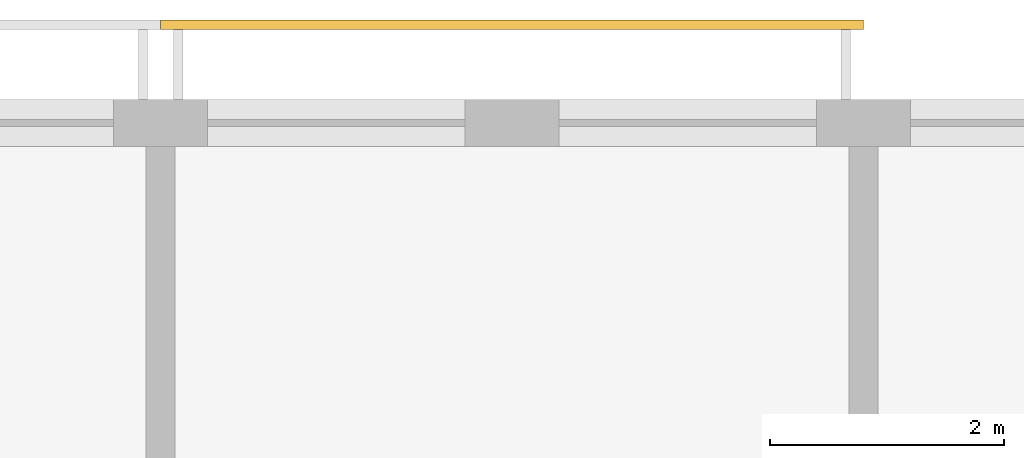
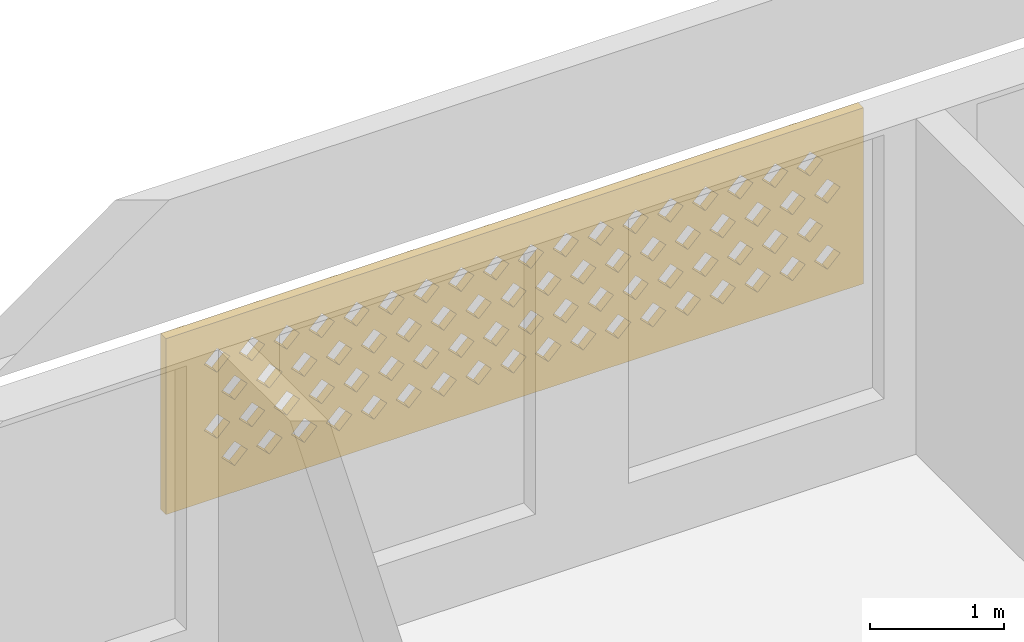
# One storey, part 7 of 7: 1 covering.
"""IFC4 building model written with IfcOpenShell, lengths in metres."""

from ifc_helpers import new_model, si_unit, direction, frame, origin, place, context, subcontext, project, spatial, polyline, outline, extrude, source, transform, mapped, material, material_profile, profile_set, type_object, element, save


model = new_model("IFC4")

# Units and contexts
model_context = context("Model", 3, precision=1e-05, world=origin(), true_north=direction((0.0, 1.0)))
body_context = subcontext(model_context, "Body", "Model", "MODEL_VIEW")
ifc_project = project(units=[si_unit("LENGTHUNIT", "METRE"), si_unit("AREAUNIT", "SQUARE_METRE"), si_unit("VOLUMEUNIT", "CUBIC_METRE"), si_unit("PLANEANGLEUNIT", "RADIAN"), si_unit("MASSUNIT", "GRAM", prefix="KILO")], contexts=[model_context])

# Site, building, storey
site_placement = place(None, origin())
site = spatial("IfcSite", under=ifc_project, at=site_placement, CompositionType="ELEMENT")
building_placement = place(site_placement, origin())
building = spatial("IfcBuilding", under=site, at=building_placement, Name="Poui Terraces", CompositionType="ELEMENT")
storey_placement = place(building_placement, frame((0.0, 0.0, 288.89990234375)))
storey = spatial("IfcBuildingStorey", under=building, at=storey_placement, Name="L80 CROWN", CompositionType="ELEMENT", Elevation=288.89990234375)

# Covering
ifc_material = material(Name="Terracotta screen", Category="masonry")
ifc_material_profile = material_profile(ifc_material, outline(polyline([(-3.0, -0.800048828125), (3.0, -0.800048828125), (3.0, 0.800048828125), (-3.0, 0.800048828125), (-3.0, -0.800048828125)]), holes=[polyline([(-2.800048828125, -0.449951171875), (-2.68994140625, -0.56005859375), (-2.580078125, -0.449951171875), (-2.68994140625, -0.340087890625), (-2.800048828125, -0.449951171875)]), polyline([(-2.5, -0.449951171875), (-2.389892578125, -0.56005859375), (-2.280029296875, -0.449951171875), (-2.389892578125, -0.340087890625), (-2.5, -0.449951171875)]), polyline([(-2.199951171875, -0.449951171875), (-2.090087890625, -0.56005859375), (-1.97998046875, -0.449951171875), (-2.090087890625, -0.340087890625), (-2.199951171875, -0.449951171875)]), polyline([(-1.89990234375, -0.449951171875), (-1.7900390625, -0.56005859375), (-1.679931640625, -0.449951171875), (-1.7900390625, -0.340087890625), (-1.89990234375, -0.449951171875)]), polyline([(-1.60009765625, -0.449951171875), (-1.489990234375, -0.56005859375), (-1.3798828125, -0.449951171875), (-1.489990234375, -0.340087890625), (-1.60009765625, -0.449951171875)]), polyline([(-1.300048828125, -0.449951171875), (-1.18994140625, -0.56005859375), (-1.080078125, -0.449951171875), (-1.18994140625, -0.340087890625), (-1.300048828125, -0.449951171875)]), polyline([(-1.0, -0.449951171875), (-0.889892578125, -0.56005859375), (-0.780029296875, -0.449951171875), (-0.889892578125, -0.340087890625), (-1.0, -0.449951171875)]), polyline([(-0.699951171875, -0.449951171875), (-0.590087890625, -0.56005859375), (-0.47998046875, -0.449951171875), (-0.590087890625, -0.340087890625), (-0.699951171875, -0.449951171875)]), polyline([(-0.39990234375, -0.449951171875), (-0.2900390625, -0.56005859375), (-0.179931640625, -0.449951171875), (-0.2900390625, -0.340087890625), (-0.39990234375, -0.449951171875)]), polyline([(-0.10009765625, -0.449951171875), (0.010009765625, -0.56005859375), (0.1201171875, -0.449951171875), (0.010009765625, -0.340087890625), (-0.10009765625, -0.449951171875)]), polyline([(0.199951171875, -0.449951171875), (0.31005859375, -0.56005859375), (0.419921875, -0.449951171875), (0.31005859375, -0.340087890625), (0.199951171875, -0.449951171875)]), polyline([(0.5, -0.449951171875), (0.610107421875, -0.56005859375), (0.719970703125, -0.449951171875), (0.610107421875, -0.340087890625), (0.5, -0.449951171875)]), polyline([(0.800048828125, -0.449951171875), (0.909912109375, -0.56005859375), (1.02001953125, -0.449951171875), (0.909912109375, -0.340087890625), (0.800048828125, -0.449951171875)]), polyline([(1.10009765625, -0.449951171875), (1.2099609375, -0.56005859375), (1.320068359375, -0.449951171875), (1.2099609375, -0.340087890625), (1.10009765625, -0.449951171875)]), polyline([(1.39990234375, -0.449951171875), (1.510009765625, -0.56005859375), (1.6201171875, -0.449951171875), (1.510009765625, -0.340087890625), (1.39990234375, -0.449951171875)]), polyline([(1.699951171875, -0.449951171875), (1.81005859375, -0.56005859375), (1.919921875, -0.449951171875), (1.81005859375, -0.340087890625), (1.699951171875, -0.449951171875)]), polyline([(2.0, -0.449951171875), (2.110107421875, -0.56005859375), (2.219970703125, -0.449951171875), (2.110107421875, -0.340087890625), (2.0, -0.449951171875)]), polyline([(2.300048828125, -0.449951171875), (2.409912109375, -0.56005859375), (2.52001953125, -0.449951171875), (2.409912109375, -0.340087890625), (2.300048828125, -0.449951171875)]), polyline([(-2.64990234375, -0.14990234375), (-2.5400390625, -0.260009765625), (-2.429931640625, -0.14990234375), (-2.5400390625, -0.0400390625), (-2.64990234375, -0.14990234375)]), polyline([(-2.35009765625, -0.14990234375), (-2.239990234375, -0.260009765625), (-2.1298828125, -0.14990234375), (-2.239990234375, -0.0400390625), (-2.35009765625, -0.14990234375)]), polyline([(-2.050048828125, -0.14990234375), (-1.93994140625, -0.260009765625), (-1.830078125, -0.14990234375), (-1.93994140625, -0.0400390625), (-2.050048828125, -0.14990234375)]), polyline([(-1.75, -0.14990234375), (-1.639892578125, -0.260009765625), (-1.530029296875, -0.14990234375), (-1.639892578125, -0.0400390625), (-1.75, -0.14990234375)]), polyline([(-1.449951171875, -0.14990234375), (-1.340087890625, -0.260009765625), (-1.22998046875, -0.14990234375), (-1.340087890625, -0.0400390625), (-1.449951171875, -0.14990234375)]), polyline([(-1.14990234375, -0.14990234375), (-1.0400390625, -0.260009765625), (-0.929931640625, -0.14990234375), (-1.0400390625, -0.0400390625), (-1.14990234375, -0.14990234375)]), polyline([(-0.85009765625, -0.14990234375), (-0.739990234375, -0.260009765625), (-0.6298828125, -0.14990234375), (-0.739990234375, -0.0400390625), (-0.85009765625, -0.14990234375)]), polyline([(-0.550048828125, -0.14990234375), (-0.43994140625, -0.260009765625), (-0.330078125, -0.14990234375), (-0.43994140625, -0.0400390625), (-0.550048828125, -0.14990234375)]), polyline([(-0.25, -0.14990234375), (-0.139892578125, -0.260009765625), (-0.030029296875, -0.14990234375), (-0.139892578125, -0.0400390625), (-0.25, -0.14990234375)]), polyline([(0.050048828125, -0.14990234375), (0.159912109375, -0.260009765625), (0.27001953125, -0.14990234375), (0.159912109375, -0.0400390625), (0.050048828125, -0.14990234375)]), polyline([(0.35009765625, -0.14990234375), (0.4599609375, -0.260009765625), (0.570068359375, -0.14990234375), (0.4599609375, -0.0400390625), (0.35009765625, -0.14990234375)]), polyline([(0.64990234375, -0.14990234375), (0.760009765625, -0.260009765625), (0.8701171875, -0.14990234375), (0.760009765625, -0.0400390625), (0.64990234375, -0.14990234375)]), polyline([(0.949951171875, -0.14990234375), (1.06005859375, -0.260009765625), (1.169921875, -0.14990234375), (1.06005859375, -0.0400390625), (0.949951171875, -0.14990234375)]), polyline([(1.25, -0.14990234375), (1.360107421875, -0.260009765625), (1.469970703125, -0.14990234375), (1.360107421875, -0.0400390625), (1.25, -0.14990234375)]), polyline([(1.550048828125, -0.14990234375), (1.659912109375, -0.260009765625), (1.77001953125, -0.14990234375), (1.659912109375, -0.0400390625), (1.550048828125, -0.14990234375)]), polyline([(1.85009765625, -0.14990234375), (1.9599609375, -0.260009765625), (2.070068359375, -0.14990234375), (1.9599609375, -0.0400390625), (1.85009765625, -0.14990234375)]), polyline([(2.14990234375, -0.14990234375), (2.260009765625, -0.260009765625), (2.3701171875, -0.14990234375), (2.260009765625, -0.0400390625), (2.14990234375, -0.14990234375)]), polyline([(2.449951171875, -0.14990234375), (2.56005859375, -0.260009765625), (2.669921875, -0.14990234375), (2.56005859375, -0.0400390625), (2.449951171875, -0.14990234375)]), polyline([(-2.800048828125, 0.14990234375), (-2.68994140625, 0.0400390625), (-2.580078125, 0.14990234375), (-2.68994140625, 0.260009765625), (-2.800048828125, 0.14990234375)]), polyline([(-2.5, 0.14990234375), (-2.389892578125, 0.0400390625), (-2.280029296875, 0.14990234375), (-2.389892578125, 0.260009765625), (-2.5, 0.14990234375)]), polyline([(-2.199951171875, 0.14990234375), (-2.090087890625, 0.0400390625), (-1.97998046875, 0.14990234375), (-2.090087890625, 0.260009765625), (-2.199951171875, 0.14990234375)]), polyline([(-1.89990234375, 0.14990234375), (-1.7900390625, 0.0400390625), (-1.679931640625, 0.14990234375), (-1.7900390625, 0.260009765625), (-1.89990234375, 0.14990234375)]), polyline([(-1.60009765625, 0.14990234375), (-1.489990234375, 0.0400390625), (-1.3798828125, 0.14990234375), (-1.489990234375, 0.260009765625), (-1.60009765625, 0.14990234375)]), polyline([(-1.300048828125, 0.14990234375), (-1.18994140625, 0.0400390625), (-1.080078125, 0.14990234375), (-1.18994140625, 0.260009765625), (-1.300048828125, 0.14990234375)]), polyline([(-1.0, 0.14990234375), (-0.889892578125, 0.0400390625), (-0.780029296875, 0.14990234375), (-0.889892578125, 0.260009765625), (-1.0, 0.14990234375)]), polyline([(-0.699951171875, 0.14990234375), (-0.590087890625, 0.0400390625), (-0.47998046875, 0.14990234375), (-0.590087890625, 0.260009765625), (-0.699951171875, 0.14990234375)]), polyline([(-0.39990234375, 0.14990234375), (-0.2900390625, 0.0400390625), (-0.179931640625, 0.14990234375), (-0.2900390625, 0.260009765625), (-0.39990234375, 0.14990234375)]), polyline([(-0.10009765625, 0.14990234375), (0.010009765625, 0.0400390625), (0.1201171875, 0.14990234375), (0.010009765625, 0.260009765625), (-0.10009765625, 0.14990234375)]), polyline([(0.199951171875, 0.14990234375), (0.31005859375, 0.0400390625), (0.419921875, 0.14990234375), (0.31005859375, 0.260009765625), (0.199951171875, 0.14990234375)]), polyline([(0.5, 0.14990234375), (0.610107421875, 0.0400390625), (0.719970703125, 0.14990234375), (0.610107421875, 0.260009765625), (0.5, 0.14990234375)]), polyline([(0.800048828125, 0.14990234375), (0.909912109375, 0.0400390625), (1.02001953125, 0.14990234375), (0.909912109375, 0.260009765625), (0.800048828125, 0.14990234375)]), polyline([(1.10009765625, 0.14990234375), (1.2099609375, 0.0400390625), (1.320068359375, 0.14990234375), (1.2099609375, 0.260009765625), (1.10009765625, 0.14990234375)]), polyline([(1.39990234375, 0.14990234375), (1.510009765625, 0.0400390625), (1.6201171875, 0.14990234375), (1.510009765625, 0.260009765625), (1.39990234375, 0.14990234375)]), polyline([(1.699951171875, 0.14990234375), (1.81005859375, 0.0400390625), (1.919921875, 0.14990234375), (1.81005859375, 0.260009765625), (1.699951171875, 0.14990234375)]), polyline([(2.0, 0.14990234375), (2.110107421875, 0.0400390625), (2.219970703125, 0.14990234375), (2.110107421875, 0.260009765625), (2.0, 0.14990234375)]), polyline([(2.300048828125, 0.14990234375), (2.409912109375, 0.0400390625), (2.52001953125, 0.14990234375), (2.409912109375, 0.260009765625), (2.300048828125, 0.14990234375)]), polyline([(-2.64990234375, 0.449951171875), (-2.5400390625, 0.340087890625), (-2.429931640625, 0.449951171875), (-2.5400390625, 0.56005859375), (-2.64990234375, 0.449951171875)]), polyline([(-2.35009765625, 0.449951171875), (-2.239990234375, 0.340087890625), (-2.1298828125, 0.449951171875), (-2.239990234375, 0.56005859375), (-2.35009765625, 0.449951171875)]), polyline([(-2.050048828125, 0.449951171875), (-1.93994140625, 0.340087890625), (-1.830078125, 0.449951171875), (-1.93994140625, 0.56005859375), (-2.050048828125, 0.449951171875)]), polyline([(-1.75, 0.449951171875), (-1.639892578125, 0.340087890625), (-1.530029296875, 0.449951171875), (-1.639892578125, 0.56005859375), (-1.75, 0.449951171875)]), polyline([(-1.449951171875, 0.449951171875), (-1.340087890625, 0.340087890625), (-1.22998046875, 0.449951171875), (-1.340087890625, 0.56005859375), (-1.449951171875, 0.449951171875)]), polyline([(-1.14990234375, 0.449951171875), (-1.0400390625, 0.340087890625), (-0.929931640625, 0.449951171875), (-1.0400390625, 0.56005859375), (-1.14990234375, 0.449951171875)]), polyline([(-0.85009765625, 0.449951171875), (-0.739990234375, 0.340087890625), (-0.6298828125, 0.449951171875), (-0.739990234375, 0.56005859375), (-0.85009765625, 0.449951171875)]), polyline([(-0.550048828125, 0.449951171875), (-0.43994140625, 0.340087890625), (-0.330078125, 0.449951171875), (-0.43994140625, 0.56005859375), (-0.550048828125, 0.449951171875)]), polyline([(-0.25, 0.449951171875), (-0.139892578125, 0.340087890625), (-0.030029296875, 0.449951171875), (-0.139892578125, 0.56005859375), (-0.25, 0.449951171875)]), polyline([(0.050048828125, 0.449951171875), (0.159912109375, 0.340087890625), (0.27001953125, 0.449951171875), (0.159912109375, 0.56005859375), (0.050048828125, 0.449951171875)]), polyline([(0.35009765625, 0.449951171875), (0.4599609375, 0.340087890625), (0.570068359375, 0.449951171875), (0.4599609375, 0.56005859375), (0.35009765625, 0.449951171875)]), polyline([(0.64990234375, 0.449951171875), (0.760009765625, 0.340087890625), (0.8701171875, 0.449951171875), (0.760009765625, 0.56005859375), (0.64990234375, 0.449951171875)]), polyline([(0.949951171875, 0.449951171875), (1.06005859375, 0.340087890625), (1.169921875, 0.449951171875), (1.06005859375, 0.56005859375), (0.949951171875, 0.449951171875)]), polyline([(1.25, 0.449951171875), (1.360107421875, 0.340087890625), (1.469970703125, 0.449951171875), (1.360107421875, 0.56005859375), (1.25, 0.449951171875)]), polyline([(1.550048828125, 0.449951171875), (1.659912109375, 0.340087890625), (1.77001953125, 0.449951171875), (1.659912109375, 0.56005859375), (1.550048828125, 0.449951171875)]), polyline([(1.85009765625, 0.449951171875), (1.9599609375, 0.340087890625), (2.070068359375, 0.449951171875), (1.9599609375, 0.56005859375), (1.85009765625, 0.449951171875)]), polyline([(2.14990234375, 0.449951171875), (2.260009765625, 0.340087890625), (2.3701171875, 0.449951171875), (2.260009765625, 0.56005859375), (2.14990234375, 0.449951171875)]), polyline([(2.449951171875, 0.449951171875), (2.56005859375, 0.340087890625), (2.669921875, 0.449951171875), (2.56005859375, 0.56005859375), (2.449951171875, 0.449951171875)])]), Name="TERRACOTTA SOLAR SCREEN 6000X1600")
ifc_profile_set = profile_set([ifc_material_profile], Name="Terracotta screen")
covering_type = type_object("IfcCoveringType", Name="TERRACOTTA SOLAR SCREEN 6000X1600", PredefinedType="CLADDING", material=ifc_profile_set)
shared_shape = source(origin(), body_context, "Body", "SweptSolid", [
    extrude(outline(polyline([(-3.0, -0.800048828125), (3.0, -0.800048828125), (3.0, 0.800048828125), (-3.0, 0.800048828125), (-3.0, -0.800048828125)]), holes=[polyline([(-2.800048828125, -0.449951171875), (-2.68994140625, -0.56005859375), (-2.580078125, -0.449951171875), (-2.68994140625, -0.340087890625), (-2.800048828125, -0.449951171875)]), polyline([(-2.5, -0.449951171875), (-2.389892578125, -0.56005859375), (-2.280029296875, -0.449951171875), (-2.389892578125, -0.340087890625), (-2.5, -0.449951171875)]), polyline([(-2.199951171875, -0.449951171875), (-2.090087890625, -0.56005859375), (-1.97998046875, -0.449951171875), (-2.090087890625, -0.340087890625), (-2.199951171875, -0.449951171875)]), polyline([(-1.89990234375, -0.449951171875), (-1.7900390625, -0.56005859375), (-1.679931640625, -0.449951171875), (-1.7900390625, -0.340087890625), (-1.89990234375, -0.449951171875)]), polyline([(-1.60009765625, -0.449951171875), (-1.489990234375, -0.56005859375), (-1.3798828125, -0.449951171875), (-1.489990234375, -0.340087890625), (-1.60009765625, -0.449951171875)]), polyline([(-1.300048828125, -0.449951171875), (-1.18994140625, -0.56005859375), (-1.080078125, -0.449951171875), (-1.18994140625, -0.340087890625), (-1.300048828125, -0.449951171875)]), polyline([(-1.0, -0.449951171875), (-0.889892578125, -0.56005859375), (-0.780029296875, -0.449951171875), (-0.889892578125, -0.340087890625), (-1.0, -0.449951171875)]), polyline([(-0.699951171875, -0.449951171875), (-0.590087890625, -0.56005859375), (-0.47998046875, -0.449951171875), (-0.590087890625, -0.340087890625), (-0.699951171875, -0.449951171875)]), polyline([(-0.39990234375, -0.449951171875), (-0.2900390625, -0.56005859375), (-0.179931640625, -0.449951171875), (-0.2900390625, -0.340087890625), (-0.39990234375, -0.449951171875)]), polyline([(-0.10009765625, -0.449951171875), (0.010009765625, -0.56005859375), (0.1201171875, -0.449951171875), (0.010009765625, -0.340087890625), (-0.10009765625, -0.449951171875)]), polyline([(0.199951171875, -0.449951171875), (0.31005859375, -0.56005859375), (0.419921875, -0.449951171875), (0.31005859375, -0.340087890625), (0.199951171875, -0.449951171875)]), polyline([(0.5, -0.449951171875), (0.610107421875, -0.56005859375), (0.719970703125, -0.449951171875), (0.610107421875, -0.340087890625), (0.5, -0.449951171875)]), polyline([(0.800048828125, -0.449951171875), (0.909912109375, -0.56005859375), (1.02001953125, -0.449951171875), (0.909912109375, -0.340087890625), (0.800048828125, -0.449951171875)]), polyline([(1.10009765625, -0.449951171875), (1.2099609375, -0.56005859375), (1.320068359375, -0.449951171875), (1.2099609375, -0.340087890625), (1.10009765625, -0.449951171875)]), polyline([(1.39990234375, -0.449951171875), (1.510009765625, -0.56005859375), (1.6201171875, -0.449951171875), (1.510009765625, -0.340087890625), (1.39990234375, -0.449951171875)]), polyline([(1.699951171875, -0.449951171875), (1.81005859375, -0.56005859375), (1.919921875, -0.449951171875), (1.81005859375, -0.340087890625), (1.699951171875, -0.449951171875)]), polyline([(2.0, -0.449951171875), (2.110107421875, -0.56005859375), (2.219970703125, -0.449951171875), (2.110107421875, -0.340087890625), (2.0, -0.449951171875)]), polyline([(2.300048828125, -0.449951171875), (2.409912109375, -0.56005859375), (2.52001953125, -0.449951171875), (2.409912109375, -0.340087890625), (2.300048828125, -0.449951171875)]), polyline([(-2.64990234375, -0.14990234375), (-2.5400390625, -0.260009765625), (-2.429931640625, -0.14990234375), (-2.5400390625, -0.0400390625), (-2.64990234375, -0.14990234375)]), polyline([(-2.35009765625, -0.14990234375), (-2.239990234375, -0.260009765625), (-2.1298828125, -0.14990234375), (-2.239990234375, -0.0400390625), (-2.35009765625, -0.14990234375)]), polyline([(-2.050048828125, -0.14990234375), (-1.93994140625, -0.260009765625), (-1.830078125, -0.14990234375), (-1.93994140625, -0.0400390625), (-2.050048828125, -0.14990234375)]), polyline([(-1.75, -0.14990234375), (-1.639892578125, -0.260009765625), (-1.530029296875, -0.14990234375), (-1.639892578125, -0.0400390625), (-1.75, -0.14990234375)]), polyline([(-1.449951171875, -0.14990234375), (-1.340087890625, -0.260009765625), (-1.22998046875, -0.14990234375), (-1.340087890625, -0.0400390625), (-1.449951171875, -0.14990234375)]), polyline([(-1.14990234375, -0.14990234375), (-1.0400390625, -0.260009765625), (-0.929931640625, -0.14990234375), (-1.0400390625, -0.0400390625), (-1.14990234375, -0.14990234375)]), polyline([(-0.85009765625, -0.14990234375), (-0.739990234375, -0.260009765625), (-0.6298828125, -0.14990234375), (-0.739990234375, -0.0400390625), (-0.85009765625, -0.14990234375)]), polyline([(-0.550048828125, -0.14990234375), (-0.43994140625, -0.260009765625), (-0.330078125, -0.14990234375), (-0.43994140625, -0.0400390625), (-0.550048828125, -0.14990234375)]), polyline([(-0.25, -0.14990234375), (-0.139892578125, -0.260009765625), (-0.030029296875, -0.14990234375), (-0.139892578125, -0.0400390625), (-0.25, -0.14990234375)]), polyline([(0.050048828125, -0.14990234375), (0.159912109375, -0.260009765625), (0.27001953125, -0.14990234375), (0.159912109375, -0.0400390625), (0.050048828125, -0.14990234375)]), polyline([(0.35009765625, -0.14990234375), (0.4599609375, -0.260009765625), (0.570068359375, -0.14990234375), (0.4599609375, -0.0400390625), (0.35009765625, -0.14990234375)]), polyline([(0.64990234375, -0.14990234375), (0.760009765625, -0.260009765625), (0.8701171875, -0.14990234375), (0.760009765625, -0.0400390625), (0.64990234375, -0.14990234375)]), polyline([(0.949951171875, -0.14990234375), (1.06005859375, -0.260009765625), (1.169921875, -0.14990234375), (1.06005859375, -0.0400390625), (0.949951171875, -0.14990234375)]), polyline([(1.25, -0.14990234375), (1.360107421875, -0.260009765625), (1.469970703125, -0.14990234375), (1.360107421875, -0.0400390625), (1.25, -0.14990234375)]), polyline([(1.550048828125, -0.14990234375), (1.659912109375, -0.260009765625), (1.77001953125, -0.14990234375), (1.659912109375, -0.0400390625), (1.550048828125, -0.14990234375)]), polyline([(1.85009765625, -0.14990234375), (1.9599609375, -0.260009765625), (2.070068359375, -0.14990234375), (1.9599609375, -0.0400390625), (1.85009765625, -0.14990234375)]), polyline([(2.14990234375, -0.14990234375), (2.260009765625, -0.260009765625), (2.3701171875, -0.14990234375), (2.260009765625, -0.0400390625), (2.14990234375, -0.14990234375)]), polyline([(2.449951171875, -0.14990234375), (2.56005859375, -0.260009765625), (2.669921875, -0.14990234375), (2.56005859375, -0.0400390625), (2.449951171875, -0.14990234375)]), polyline([(-2.800048828125, 0.14990234375), (-2.68994140625, 0.0400390625), (-2.580078125, 0.14990234375), (-2.68994140625, 0.260009765625), (-2.800048828125, 0.14990234375)]), polyline([(-2.5, 0.14990234375), (-2.389892578125, 0.0400390625), (-2.280029296875, 0.14990234375), (-2.389892578125, 0.260009765625), (-2.5, 0.14990234375)]), polyline([(-2.199951171875, 0.14990234375), (-2.090087890625, 0.0400390625), (-1.97998046875, 0.14990234375), (-2.090087890625, 0.260009765625), (-2.199951171875, 0.14990234375)]), polyline([(-1.89990234375, 0.14990234375), (-1.7900390625, 0.0400390625), (-1.679931640625, 0.14990234375), (-1.7900390625, 0.260009765625), (-1.89990234375, 0.14990234375)]), polyline([(-1.60009765625, 0.14990234375), (-1.489990234375, 0.0400390625), (-1.3798828125, 0.14990234375), (-1.489990234375, 0.260009765625), (-1.60009765625, 0.14990234375)]), polyline([(-1.300048828125, 0.14990234375), (-1.18994140625, 0.0400390625), (-1.080078125, 0.14990234375), (-1.18994140625, 0.260009765625), (-1.300048828125, 0.14990234375)]), polyline([(-1.0, 0.14990234375), (-0.889892578125, 0.0400390625), (-0.780029296875, 0.14990234375), (-0.889892578125, 0.260009765625), (-1.0, 0.14990234375)]), polyline([(-0.699951171875, 0.14990234375), (-0.590087890625, 0.0400390625), (-0.47998046875, 0.14990234375), (-0.590087890625, 0.260009765625), (-0.699951171875, 0.14990234375)]), polyline([(-0.39990234375, 0.14990234375), (-0.2900390625, 0.0400390625), (-0.179931640625, 0.14990234375), (-0.2900390625, 0.260009765625), (-0.39990234375, 0.14990234375)]), polyline([(-0.10009765625, 0.14990234375), (0.010009765625, 0.0400390625), (0.1201171875, 0.14990234375), (0.010009765625, 0.260009765625), (-0.10009765625, 0.14990234375)]), polyline([(0.199951171875, 0.14990234375), (0.31005859375, 0.0400390625), (0.419921875, 0.14990234375), (0.31005859375, 0.260009765625), (0.199951171875, 0.14990234375)]), polyline([(0.5, 0.14990234375), (0.610107421875, 0.0400390625), (0.719970703125, 0.14990234375), (0.610107421875, 0.260009765625), (0.5, 0.14990234375)]), polyline([(0.800048828125, 0.14990234375), (0.909912109375, 0.0400390625), (1.02001953125, 0.14990234375), (0.909912109375, 0.260009765625), (0.800048828125, 0.14990234375)]), polyline([(1.10009765625, 0.14990234375), (1.2099609375, 0.0400390625), (1.320068359375, 0.14990234375), (1.2099609375, 0.260009765625), (1.10009765625, 0.14990234375)]), polyline([(1.39990234375, 0.14990234375), (1.510009765625, 0.0400390625), (1.6201171875, 0.14990234375), (1.510009765625, 0.260009765625), (1.39990234375, 0.14990234375)]), polyline([(1.699951171875, 0.14990234375), (1.81005859375, 0.0400390625), (1.919921875, 0.14990234375), (1.81005859375, 0.260009765625), (1.699951171875, 0.14990234375)]), polyline([(2.0, 0.14990234375), (2.110107421875, 0.0400390625), (2.219970703125, 0.14990234375), (2.110107421875, 0.260009765625), (2.0, 0.14990234375)]), polyline([(2.300048828125, 0.14990234375), (2.409912109375, 0.0400390625), (2.52001953125, 0.14990234375), (2.409912109375, 0.260009765625), (2.300048828125, 0.14990234375)]), polyline([(-2.64990234375, 0.449951171875), (-2.5400390625, 0.340087890625), (-2.429931640625, 0.449951171875), (-2.5400390625, 0.56005859375), (-2.64990234375, 0.449951171875)]), polyline([(-2.35009765625, 0.449951171875), (-2.239990234375, 0.340087890625), (-2.1298828125, 0.449951171875), (-2.239990234375, 0.56005859375), (-2.35009765625, 0.449951171875)]), polyline([(-2.050048828125, 0.449951171875), (-1.93994140625, 0.340087890625), (-1.830078125, 0.449951171875), (-1.93994140625, 0.56005859375), (-2.050048828125, 0.449951171875)]), polyline([(-1.75, 0.449951171875), (-1.639892578125, 0.340087890625), (-1.530029296875, 0.449951171875), (-1.639892578125, 0.56005859375), (-1.75, 0.449951171875)]), polyline([(-1.449951171875, 0.449951171875), (-1.340087890625, 0.340087890625), (-1.22998046875, 0.449951171875), (-1.340087890625, 0.56005859375), (-1.449951171875, 0.449951171875)]), polyline([(-1.14990234375, 0.449951171875), (-1.0400390625, 0.340087890625), (-0.929931640625, 0.449951171875), (-1.0400390625, 0.56005859375), (-1.14990234375, 0.449951171875)]), polyline([(-0.85009765625, 0.449951171875), (-0.739990234375, 0.340087890625), (-0.6298828125, 0.449951171875), (-0.739990234375, 0.56005859375), (-0.85009765625, 0.449951171875)]), polyline([(-0.550048828125, 0.449951171875), (-0.43994140625, 0.340087890625), (-0.330078125, 0.449951171875), (-0.43994140625, 0.56005859375), (-0.550048828125, 0.449951171875)]), polyline([(-0.25, 0.449951171875), (-0.139892578125, 0.340087890625), (-0.030029296875, 0.449951171875), (-0.139892578125, 0.56005859375), (-0.25, 0.449951171875)]), polyline([(0.050048828125, 0.449951171875), (0.159912109375, 0.340087890625), (0.27001953125, 0.449951171875), (0.159912109375, 0.56005859375), (0.050048828125, 0.449951171875)]), polyline([(0.35009765625, 0.449951171875), (0.4599609375, 0.340087890625), (0.570068359375, 0.449951171875), (0.4599609375, 0.56005859375), (0.35009765625, 0.449951171875)]), polyline([(0.64990234375, 0.449951171875), (0.760009765625, 0.340087890625), (0.8701171875, 0.449951171875), (0.760009765625, 0.56005859375), (0.64990234375, 0.449951171875)]), polyline([(0.949951171875, 0.449951171875), (1.06005859375, 0.340087890625), (1.169921875, 0.449951171875), (1.06005859375, 0.56005859375), (0.949951171875, 0.449951171875)]), polyline([(1.25, 0.449951171875), (1.360107421875, 0.340087890625), (1.469970703125, 0.449951171875), (1.360107421875, 0.56005859375), (1.25, 0.449951171875)]), polyline([(1.550048828125, 0.449951171875), (1.659912109375, 0.340087890625), (1.77001953125, 0.449951171875), (1.659912109375, 0.56005859375), (1.550048828125, 0.449951171875)]), polyline([(1.85009765625, 0.449951171875), (1.9599609375, 0.340087890625), (2.070068359375, 0.449951171875), (1.9599609375, 0.56005859375), (1.85009765625, 0.449951171875)]), polyline([(2.14990234375, 0.449951171875), (2.260009765625, 0.340087890625), (2.3701171875, 0.449951171875), (2.260009765625, 0.56005859375), (2.14990234375, 0.449951171875)]), polyline([(2.449951171875, 0.449951171875), (2.56005859375, 0.340087890625), (2.669921875, 0.449951171875), (2.56005859375, 0.56005859375), (2.449951171875, 0.449951171875)])]), origin(), (0.0, 0.0, 1.0), 0.080078125),
])
covering_placement = place(storey_placement, frame((39.0, 42.0, 1.7001953125), z_axis=(0.0, 1.0, 0.0), x_axis=(-1.0, 0.0, 0.0)))
element("IfcCovering", 1, at=covering_placement, inside=storey, type_object=covering_type, Name="SOLAR SCREEN", PredefinedType="CLADDING", context=body_context, shape_type="MappedRepresentation", body=[
    mapped(shared_shape, transform((0.0, 0.0, 0.0))),
])

save(model, "model.ifc")
